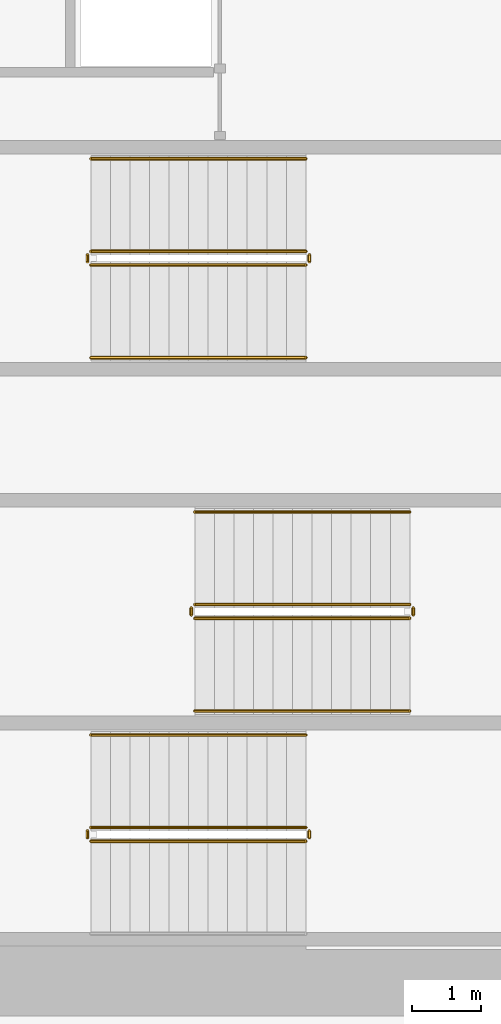
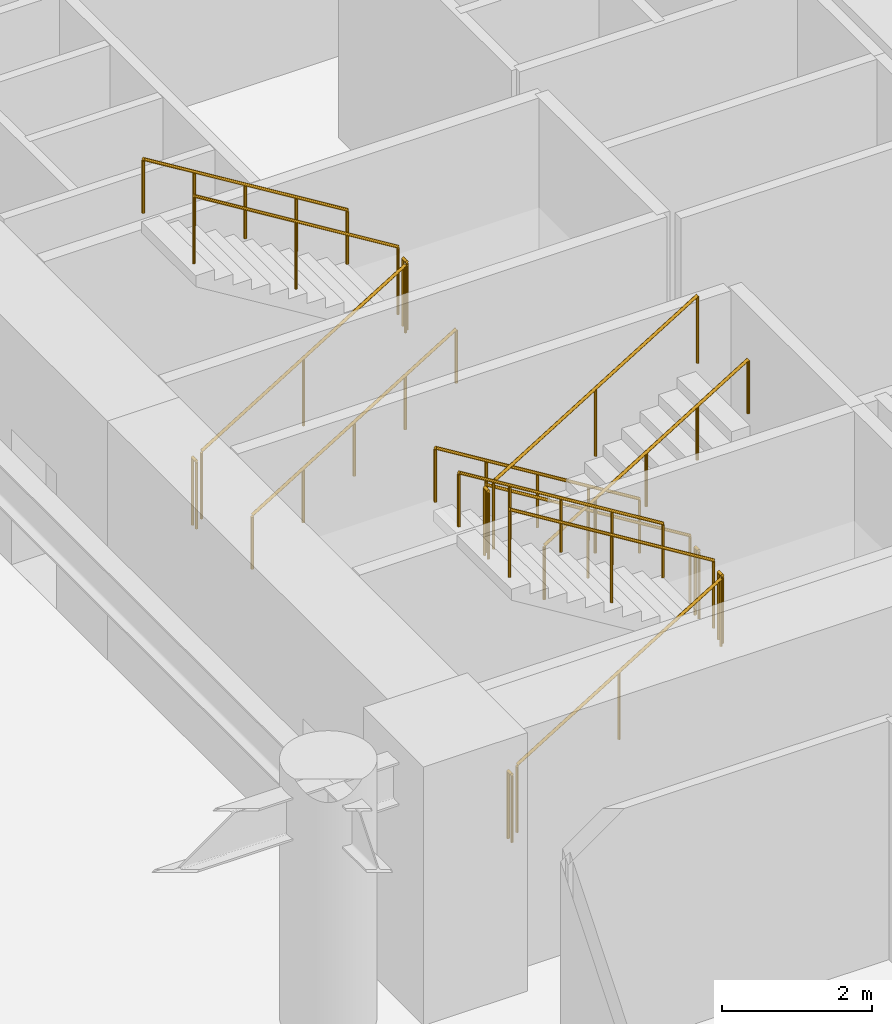
# One storey, part 19 of 22: 17 railings.
"""IFC4 building model written with IfcOpenShell, lengths in metres."""

from ifc_helpers import new_model, si_unit, direction, frame, origin, origin_2d, place, context, subcontext, project, spatial, circle, extrude, material, type_object, element, save


model = new_model("IFC4")

# Units and contexts
model_context = context("Model", 3, precision=1e-05, world=origin(), true_north=direction((0.0, 1.0)))
body_context = subcontext(model_context, "Body", "Model", "MODEL_VIEW")
ifc_project = project(units=[si_unit("LENGTHUNIT", "METRE"), si_unit("AREAUNIT", "SQUARE_METRE"), si_unit("VOLUMEUNIT", "CUBIC_METRE"), si_unit("PLANEANGLEUNIT", "RADIAN"), si_unit("MASSUNIT", "GRAM", prefix="KILO")], contexts=[model_context])

# Site, building, storey
site_placement = place(None, origin())
site = spatial("IfcSite", under=ifc_project, at=site_placement, CompositionType="ELEMENT")
building_placement = place(site_placement, origin())
building = spatial("IfcBuilding", under=site, at=building_placement, Name="Narakoshi Arena Tower", CompositionType="ELEMENT")
storey_placement = place(building_placement, frame((0.0, 0.0, 13.199951171875)))
storey = spatial("IfcBuildingStorey", under=building, at=storey_placement, Name="L03", CompositionType="ELEMENT", Elevation=13.199951171875)

# Railings
ifc_material_1 = material(Name="Clear low-iron laminated structural glass", Category="glass")
railing_type_1 = type_object("IfcRailingType", Name="RL-BAL-1100", PredefinedType="BALUSTRADE", material=ifc_material_1)
railing_1_placement = place(storey_placement, frame((74.39990234375, 36.949951171875, 0.175048828125)))
element("IfcRailing", 1, at=railing_1_placement, inside=storey, type_object=railing_type_1, Name="L03 ST1 stair guard 1", PredefinedType="BALUSTRADE", context=body_context, shape_type="SweptSolid", body=[
    extrude(circle(Radius=0.02392578125, at=origin_2d()), frame((0.0, 0.0, 1.09619140625), z_axis=(0.852166034122, 0.0, 0.523271488128), x_axis=(0.0, 1.0, 0.0)), (0.0, 0.0, 1.0), 3.678955078125),
    extrude(circle(Radius=0.02099609375, at=origin_2d()), origin(), (0.0, 0.0, 1.0), 1.072021484375),
    extrude(circle(Radius=0.02099609375, at=origin_2d()), frame((1.5673828125, 0.0, 0.96240234375)), (0.0, 0.0, 1.0), 1.072021484375),
    extrude(circle(Radius=0.02099609375, at=origin_2d()), frame((3.135009765625, 0.0, 1.925048828125)), (0.0, 0.0, 1.0), 1.072021484375),
])
railing_2_placement = place(storey_placement, frame((77.5849609375, 37.0, 2.10009765625)))
element("IfcRailing", 2, at=railing_2_placement, inside=storey, type_object=railing_type_1, Name="L03 ST1 stair guard 2", PredefinedType="BALUSTRADE", context=body_context, shape_type="SweptSolid", body=[
    extrude(circle(Radius=0.02392578125, at=origin_2d()), frame((0.0, 0.0, 1.09619140625), z_axis=(0.0, 1.0, 0.0), x_axis=(-1.0, 0.0, 0.0)), (0.0, 0.0, 1.0), 0.10009765625),
    extrude(circle(Radius=0.02099609375, at=origin_2d()), origin(), (0.0, 0.0, 1.0), 1.072021484375),
    extrude(circle(Radius=0.02099609375, at=origin_2d()), frame((0.0, 0.10009765625, 0.0)), (0.0, 0.0, 1.0), 1.072021484375),
])
railing_3_placement = place(storey_placement, frame((77.534912109375, 37.14990234375, 2.275146484375)))
element("IfcRailing", 3, at=railing_3_placement, inside=storey, type_object=railing_type_1, Name="L03 ST1 stair guard 3", PredefinedType="BALUSTRADE", context=body_context, shape_type="SweptSolid", body=[
    extrude(circle(Radius=0.02392578125, at=origin_2d()), frame((0.0, 0.0, 1.09619140625), z_axis=(-0.852195625947, 0.0, 0.523223293744), x_axis=(0.0, -1.0, 0.0)), (0.0, 0.0, 1.0), 3.6787109375),
    extrude(circle(Radius=0.02099609375, at=origin_2d()), origin(), (0.0, 0.0, 1.0), 1.072021484375),
    extrude(circle(Radius=0.02099609375, at=origin_2d()), frame((-1.5673828125, 0.0, 0.96240234375)), (0.0, 0.0, 1.0), 1.072021484375),
    extrude(circle(Radius=0.02099609375, at=origin_2d()), frame((-3.135009765625, 0.0, 1.9248046875)), (0.0, 0.0, 1.0), 1.072021484375),
])
railing_4_placement = place(storey_placement, frame((74.35009765625, 37.0, 0.0)))
element("IfcRailing", 4, at=railing_4_placement, inside=storey, type_object=railing_type_1, Name="L03 ST1 stair guard 4", PredefinedType="BALUSTRADE", context=body_context, shape_type="SweptSolid", body=[
    extrude(circle(Radius=0.02392578125, at=origin_2d()), frame((0.0, 0.0, 1.09619140625), z_axis=(0.0, 1.0, 0.0), x_axis=(-1.0, 0.0, 0.0)), (0.0, 0.0, 1.0), 0.10009765625),
    extrude(circle(Radius=0.02099609375, at=origin_2d()), origin(), (0.0, 0.0, 1.0), 1.072021484375),
    extrude(circle(Radius=0.02099609375, at=origin_2d()), frame((0.0, 0.10009765625, 0.0)), (0.0, 0.0, 1.0), 1.072021484375),
])
railing_5_placement = place(storey_placement, frame((79.050048828125, 40.39990234375, 0.175048828125)))
element("IfcRailing", 5, at=railing_5_placement, inside=storey, type_object=railing_type_1, Name="L03 ST2 stair guard 1", PredefinedType="BALUSTRADE", context=body_context, shape_type="SweptSolid", body=[
    extrude(circle(Radius=0.02392578125, at=origin_2d()), frame((0.0, 0.0, 1.09619140625), z_axis=(-0.852166034122, 0.0, 0.523271488128), x_axis=(0.0, -1.0, 0.0)), (0.0, 0.0, 1.0), 3.678955078125),
    extrude(circle(Radius=0.02099609375, at=origin_2d()), origin(), (0.0, 0.0, 1.0), 1.072021484375),
    extrude(circle(Radius=0.02099609375, at=origin_2d()), frame((-1.5673828125, 0.0, 0.96240234375)), (0.0, 0.0, 1.0), 1.072021484375),
    extrude(circle(Radius=0.02099609375, at=origin_2d()), frame((-3.135009765625, 0.0, 1.925048828125)), (0.0, 0.0, 1.0), 1.072021484375),
])
railing_6_placement = place(storey_placement, frame((75.864990234375, 40.35009765625, 2.10009765625)))
element("IfcRailing", 6, at=railing_6_placement, inside=storey, type_object=railing_type_1, Name="L03 ST2 stair guard 2", PredefinedType="BALUSTRADE", context=body_context, shape_type="SweptSolid", body=[
    extrude(circle(Radius=0.02392578125, at=origin_2d()), frame((0.0, 0.0, 1.09619140625), z_axis=(0.0, -1.0, 0.0), x_axis=(1.0, 0.0, 0.0)), (0.0, 0.0, 1.0), 0.10009765625),
    extrude(circle(Radius=0.02099609375, at=origin_2d()), origin(), (0.0, 0.0, 1.0), 1.072021484375),
    extrude(circle(Radius=0.02099609375, at=origin_2d()), frame((0.0, -0.10009765625, 0.0)), (0.0, 0.0, 1.0), 1.072021484375),
])
railing_7_placement = place(storey_placement, frame((75.9150390625, 40.199951171875, 2.275146484375)))
element("IfcRailing", 7, at=railing_7_placement, inside=storey, type_object=railing_type_1, Name="L03 ST2 stair guard 3", PredefinedType="BALUSTRADE", context=body_context, shape_type="SweptSolid", body=[
    extrude(circle(Radius=0.02392578125, at=origin_2d()), frame((0.0, 0.0, 1.09619140625), z_axis=(0.852195625947, 0.0, 0.523223293744), x_axis=(0.0, 1.0, 0.0)), (0.0, 0.0, 1.0), 3.6787109375),
    extrude(circle(Radius=0.02099609375, at=origin_2d()), origin(), (0.0, 0.0, 1.0), 1.072021484375),
    extrude(circle(Radius=0.02099609375, at=origin_2d()), frame((1.5673828125, 0.0, 0.96240234375)), (0.0, 0.0, 1.0), 1.072021484375),
    extrude(circle(Radius=0.02099609375, at=origin_2d()), frame((3.135009765625, 0.0, 1.9248046875)), (0.0, 0.0, 1.0), 1.072021484375),
])
railing_8_placement = place(storey_placement, frame((79.10009765625, 40.35009765625, 0.0)))
element("IfcRailing", 8, at=railing_8_placement, inside=storey, type_object=railing_type_1, Name="L03 ST2 stair guard 4", PredefinedType="BALUSTRADE", context=body_context, shape_type="SweptSolid", body=[
    extrude(circle(Radius=0.02392578125, at=origin_2d()), frame((0.0, 0.0, 1.09619140625), z_axis=(0.0, -1.0, 0.0), x_axis=(1.0, 0.0, 0.0)), (0.0, 0.0, 1.0), 0.10009765625),
    extrude(circle(Radius=0.02099609375, at=origin_2d()), origin(), (0.0, 0.0, 1.0), 1.072021484375),
    extrude(circle(Radius=0.02099609375, at=origin_2d()), frame((0.0, -0.10009765625, 0.0)), (0.0, 0.0, 1.0), 1.072021484375),
])
railing_9_placement = place(storey_placement, frame((74.39990234375, 45.35009765625, 0.175048828125)))
element("IfcRailing", 9, at=railing_9_placement, inside=storey, type_object=railing_type_1, Name="L03 ST3 stair guard 1", PredefinedType="BALUSTRADE", context=body_context, shape_type="SweptSolid", body=[
    extrude(circle(Radius=0.02392578125, at=origin_2d()), frame((0.0, 0.0, 1.09619140625), z_axis=(0.852166034122, 0.0, 0.523271488128), x_axis=(0.0, 1.0, 0.0)), (0.0, 0.0, 1.0), 3.678955078125),
    extrude(circle(Radius=0.02099609375, at=origin_2d()), origin(), (0.0, 0.0, 1.0), 1.072021484375),
    extrude(circle(Radius=0.02099609375, at=origin_2d()), frame((1.5673828125, 0.0, 0.96240234375)), (0.0, 0.0, 1.0), 1.072021484375),
    extrude(circle(Radius=0.02099609375, at=origin_2d()), frame((3.135009765625, 0.0, 1.925048828125)), (0.0, 0.0, 1.0), 1.072021484375),
])
railing_10_placement = place(storey_placement, frame((77.5849609375, 45.39990234375, 2.10009765625)))
element("IfcRailing", 10, at=railing_10_placement, inside=storey, type_object=railing_type_1, Name="L03 ST3 stair guard 2", PredefinedType="BALUSTRADE", context=body_context, shape_type="SweptSolid", body=[
    extrude(circle(Radius=0.02392578125, at=origin_2d()), frame((0.0, 0.0, 1.09619140625), z_axis=(0.0, 1.0, 0.0), x_axis=(-1.0, 0.0, 0.0)), (0.0, 0.0, 1.0), 0.10009765625),
    extrude(circle(Radius=0.02099609375, at=origin_2d()), origin(), (0.0, 0.0, 1.0), 1.072021484375),
    extrude(circle(Radius=0.02099609375, at=origin_2d()), frame((0.0, 0.10009765625, 0.0)), (0.0, 0.0, 1.0), 1.072021484375),
])
railing_11_placement = place(storey_placement, frame((77.534912109375, 45.550048828125, 2.275146484375)))
element("IfcRailing", 11, at=railing_11_placement, inside=storey, type_object=railing_type_1, Name="L03 ST3 stair guard 3", PredefinedType="BALUSTRADE", context=body_context, shape_type="SweptSolid", body=[
    extrude(circle(Radius=0.02392578125, at=origin_2d()), frame((0.0, 0.0, 1.09619140625), z_axis=(-0.852195625947, 0.0, 0.523223293744), x_axis=(0.0, -1.0, 0.0)), (0.0, 0.0, 1.0), 3.6787109375),
    extrude(circle(Radius=0.02099609375, at=origin_2d()), origin(), (0.0, 0.0, 1.0), 1.072021484375),
    extrude(circle(Radius=0.02099609375, at=origin_2d()), frame((-1.5673828125, 0.0, 0.96240234375)), (0.0, 0.0, 1.0), 1.072021484375),
    extrude(circle(Radius=0.02099609375, at=origin_2d()), frame((-3.135009765625, 0.0, 1.9248046875)), (0.0, 0.0, 1.0), 1.072021484375),
])
railing_12_placement = place(storey_placement, frame((74.35009765625, 45.39990234375, 0.0)))
element("IfcRailing", 12, at=railing_12_placement, inside=storey, type_object=railing_type_1, Name="L03 ST3 stair guard 4", PredefinedType="BALUSTRADE", context=body_context, shape_type="SweptSolid", body=[
    extrude(circle(Radius=0.02392578125, at=origin_2d()), frame((0.0, 0.0, 1.09619140625), z_axis=(0.0, 1.0, 0.0), x_axis=(-1.0, 0.0, 0.0)), (0.0, 0.0, 1.0), 0.10009765625),
    extrude(circle(Radius=0.02099609375, at=origin_2d()), origin(), (0.0, 0.0, 1.0), 1.072021484375),
    extrude(circle(Radius=0.02099609375, at=origin_2d()), frame((0.0, 0.10009765625, 0.0)), (0.0, 0.0, 1.0), 1.072021484375),
])
ifc_material_2 = material(Name="Brushed bronze stainless steel", Category="steel")
railing_type_2 = type_object("IfcRailingType", Name="RL-HND-900", PredefinedType="HANDRAIL", material=ifc_material_2)
railing_13_placement = place(storey_placement, frame((77.534912109375, 38.5, 2.275146484375)))
element("IfcRailing", 13, at=railing_13_placement, inside=storey, type_object=railing_type_2, Name="L03 ST1 stair handrail 2", PredefinedType="HANDRAIL", context=body_context, shape_type="SweptSolid", body=[
    extrude(circle(Radius=0.02392578125, at=origin_2d()), frame((0.0, 0.0, 0.8759765625), z_axis=(-0.852195625947, 0.0, 0.523223293744), x_axis=(0.0, -1.0, 0.0)), (0.0, 0.0, 1.0), 3.6787109375),
    extrude(circle(Radius=0.02099609375, at=origin_2d()), origin(), (0.0, 0.0, 1.0), 0.851806640625),
    extrude(circle(Radius=0.02099609375, at=origin_2d()), frame((-0.78369140625, 0.0, 0.481201171875)), (0.0, 0.0, 1.0), 0.851806640625),
    extrude(circle(Radius=0.02099609375, at=origin_2d()), frame((-1.5673828125, 0.0, 0.96240234375)), (0.0, 0.0, 1.0), 0.851806640625),
    extrude(circle(Radius=0.02099609375, at=origin_2d()), frame((-2.351318359375, 0.0, 1.443603515625)), (0.0, 0.0, 1.0), 0.851806640625),
    extrude(circle(Radius=0.02099609375, at=origin_2d()), frame((-3.135009765625, 0.0, 1.9248046875)), (0.0, 0.0, 1.0), 0.851806640625),
])
railing_14_placement = place(storey_placement, frame((79.050048828125, 41.75, 0.175048828125)))
element("IfcRailing", 14, at=railing_14_placement, inside=storey, type_object=railing_type_2, Name="L03 ST2 stair handrail 1", PredefinedType="HANDRAIL", context=body_context, shape_type="SweptSolid", body=[
    extrude(circle(Radius=0.02392578125, at=origin_2d()), frame((0.0, 0.0, 0.8759765625), z_axis=(-0.852166034122, 0.0, 0.523271488128), x_axis=(0.0, -1.0, 0.0)), (0.0, 0.0, 1.0), 3.678955078125),
    extrude(circle(Radius=0.02099609375, at=origin_2d()), origin(), (0.0, 0.0, 1.0), 0.851806640625),
    extrude(circle(Radius=0.02099609375, at=origin_2d()), frame((-0.78369140625, 0.0, 0.481201171875)), (0.0, 0.0, 1.0), 0.851806640625),
    extrude(circle(Radius=0.02099609375, at=origin_2d()), frame((-1.5673828125, 0.0, 0.96240234375)), (0.0, 0.0, 1.0), 0.851806640625),
    extrude(circle(Radius=0.02099609375, at=origin_2d()), frame((-2.351318359375, 0.0, 1.44384765625)), (0.0, 0.0, 1.0), 0.851806640625),
    extrude(circle(Radius=0.02099609375, at=origin_2d()), frame((-3.135009765625, 0.0, 1.925048828125)), (0.0, 0.0, 1.0), 0.851806640625),
])
railing_15_placement = place(storey_placement, frame((75.9150390625, 38.85009765625, 2.275146484375)))
element("IfcRailing", 15, at=railing_15_placement, inside=storey, type_object=railing_type_2, Name="L03 ST2 stair handrail 2", PredefinedType="HANDRAIL", context=body_context, shape_type="SweptSolid", body=[
    extrude(circle(Radius=0.02392578125, at=origin_2d()), frame((0.0, 0.0, 0.8759765625), z_axis=(0.852195625947, 0.0, 0.523223293744), x_axis=(0.0, 1.0, 0.0)), (0.0, 0.0, 1.0), 3.6787109375),
    extrude(circle(Radius=0.02099609375, at=origin_2d()), origin(), (0.0, 0.0, 1.0), 0.851806640625),
    extrude(circle(Radius=0.02099609375, at=origin_2d()), frame((0.78369140625, 0.0, 0.481201171875)), (0.0, 0.0, 1.0), 0.851806640625),
    extrude(circle(Radius=0.02099609375, at=origin_2d()), frame((1.5673828125, 0.0, 0.96240234375)), (0.0, 0.0, 1.0), 0.851806640625),
    extrude(circle(Radius=0.02099609375, at=origin_2d()), frame((2.351318359375, 0.0, 1.443603515625)), (0.0, 0.0, 1.0), 0.851806640625),
    extrude(circle(Radius=0.02099609375, at=origin_2d()), frame((3.135009765625, 0.0, 1.9248046875)), (0.0, 0.0, 1.0), 0.851806640625),
])
railing_16_placement = place(storey_placement, frame((74.39990234375, 44.0, 0.175048828125)))
element("IfcRailing", 16, at=railing_16_placement, inside=storey, type_object=railing_type_2, Name="L03 ST3 stair handrail 1", PredefinedType="HANDRAIL", context=body_context, shape_type="SweptSolid", body=[
    extrude(circle(Radius=0.02392578125, at=origin_2d()), frame((0.0, 0.0, 0.8759765625), z_axis=(0.852166034122, 0.0, 0.523271488128), x_axis=(0.0, 1.0, 0.0)), (0.0, 0.0, 1.0), 3.678955078125),
    extrude(circle(Radius=0.02099609375, at=origin_2d()), origin(), (0.0, 0.0, 1.0), 0.851806640625),
    extrude(circle(Radius=0.02099609375, at=origin_2d()), frame((0.78369140625, 0.0, 0.481201171875)), (0.0, 0.0, 1.0), 0.851806640625),
    extrude(circle(Radius=0.02099609375, at=origin_2d()), frame((1.5673828125, 0.0, 0.96240234375)), (0.0, 0.0, 1.0), 0.851806640625),
    extrude(circle(Radius=0.02099609375, at=origin_2d()), frame((2.351318359375, 0.0, 1.44384765625)), (0.0, 0.0, 1.0), 0.851806640625),
    extrude(circle(Radius=0.02099609375, at=origin_2d()), frame((3.135009765625, 0.0, 1.925048828125)), (0.0, 0.0, 1.0), 0.851806640625),
])
railing_17_placement = place(storey_placement, frame((77.534912109375, 46.89990234375, 2.275146484375)))
element("IfcRailing", 17, at=railing_17_placement, inside=storey, type_object=railing_type_2, Name="L03 ST3 stair handrail 2", PredefinedType="HANDRAIL", context=body_context, shape_type="SweptSolid", body=[
    extrude(circle(Radius=0.02392578125, at=origin_2d()), frame((0.0, 0.0, 0.8759765625), z_axis=(-0.852195625947, 0.0, 0.523223293744), x_axis=(0.0, -1.0, 0.0)), (0.0, 0.0, 1.0), 3.6787109375),
    extrude(circle(Radius=0.02099609375, at=origin_2d()), origin(), (0.0, 0.0, 1.0), 0.851806640625),
    extrude(circle(Radius=0.02099609375, at=origin_2d()), frame((-0.78369140625, 0.0, 0.481201171875)), (0.0, 0.0, 1.0), 0.851806640625),
    extrude(circle(Radius=0.02099609375, at=origin_2d()), frame((-1.5673828125, 0.0, 0.96240234375)), (0.0, 0.0, 1.0), 0.851806640625),
    extrude(circle(Radius=0.02099609375, at=origin_2d()), frame((-2.351318359375, 0.0, 1.443603515625)), (0.0, 0.0, 1.0), 0.851806640625),
    extrude(circle(Radius=0.02099609375, at=origin_2d()), frame((-3.135009765625, 0.0, 1.9248046875)), (0.0, 0.0, 1.0), 0.851806640625),
])

save(model, "model.ifc")
